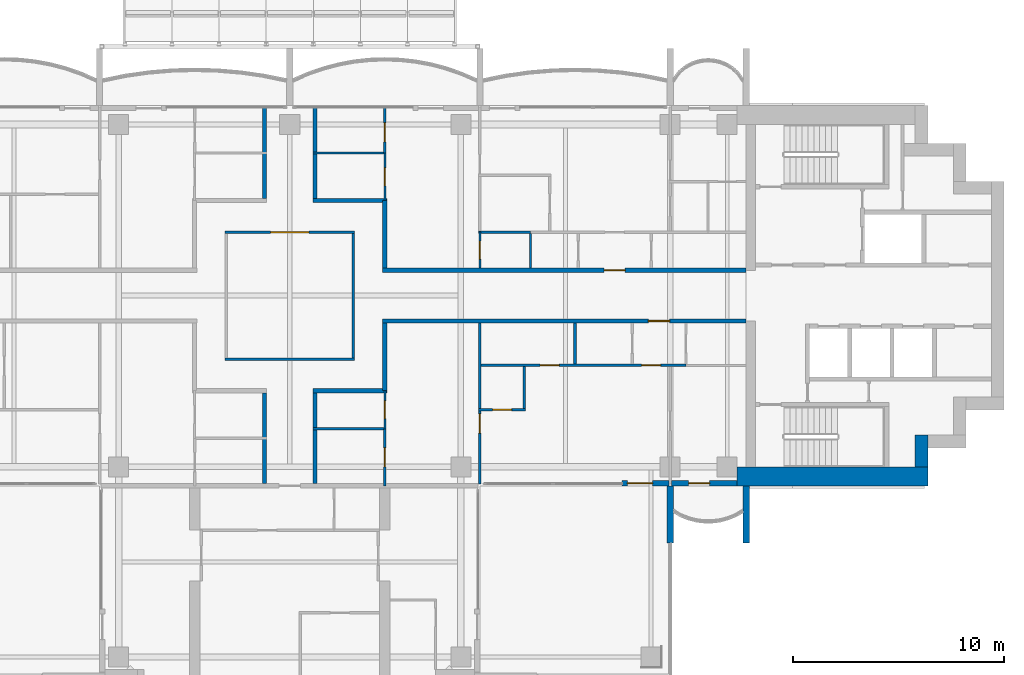
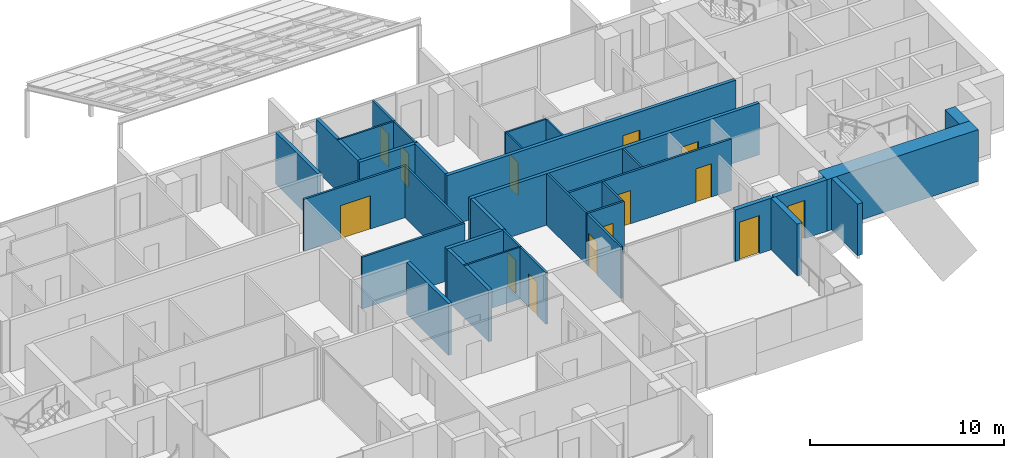
# One storey, part 13 of 20: 33 walls, 14 doors, 14 openings.
"""IFC4 building model written with IfcOpenShell, lengths in metres."""

from ifc_helpers import new_model, si_unit, direction, frame, frame_2d, origin, place, context, subcontext, project, spatial, rectangle, extrude, material, layer, layer_set, type_object, element, fill, save


model = new_model("IFC4")

# Units and contexts
model_context = context("Model", 3, precision=1e-05, world=origin(), true_north=direction((0.0, 1.0)))
body_context = subcontext(model_context, "Body", "Model", "MODEL_VIEW")
ifc_project = project(units=[si_unit("LENGTHUNIT", "METRE"), si_unit("AREAUNIT", "SQUARE_METRE"), si_unit("VOLUMEUNIT", "CUBIC_METRE"), si_unit("PLANEANGLEUNIT", "RADIAN"), si_unit("MASSUNIT", "GRAM", prefix="KILO")], contexts=[model_context])

# Site, building, storey
site_placement = place(None, origin())
site = spatial("IfcSite", under=ifc_project, at=site_placement, CompositionType="ELEMENT")
building_placement = place(site_placement, origin())
building = spatial("IfcBuilding", under=site, at=building_placement, Name="Perihelion Cross Residences", CompositionType="ELEMENT")
storey_placement = place(building_placement, frame((0.0, 0.0, 170.10009765625)))
storey = spatial("IfcBuildingStorey", under=building, at=storey_placement, Name="L41", CompositionType="ELEMENT", Elevation=170.10009765625)

# Wall, opening, door
ifc_material_1 = material(Name="Plasterboard partition")
ifc_layer_1 = layer(ifc_material_1, 0.199951171875)
ifc_layer_set_1 = layer_set([ifc_layer_1], Name="Apartment separation wall 200")
wall_type_1 = type_object("IfcWallType", Name="Apartment separation wall 200", PredefinedType="PARTITIONING", material=ifc_layer_set_1)
wall_1_placement = place(storey_placement, frame((4.39990234375, 1.199951171875, 0.0), z_axis=(0.0, 0.0, 1.0), x_axis=(1.0, 0.0, 0.0)))
wall_1 = element("IfcWall", 1, at=wall_1_placement, inside=storey, type_object=wall_type_1, Name="Partition L41 W005", PredefinedType="PARTITIONING", context=body_context, shape_type="SweptSolid", body=[
    extrude(rectangle(XDim=17.2001953125, YDim=0.199951171875, at=frame_2d((8.60009765625, 0.0))), origin(), (0.0, 0.0, 1.0), 3.25),
])
opening_1_placement = place(wall_1_placement, frame((10.47509765625, 0.0, 0.0)))
opening_1 = element("IfcOpeningElement", 2, at=opening_1_placement, cuts=wall_1, Name="Opening L41.A45", PredefinedType="OPENING", context=body_context, shape_type="SweptSolid", body=[
    extrude(rectangle(XDim=1.0, YDim=2.10009765625, at=frame_2d((0.5, 1.050048828125))), frame((0.0, 0.10986328125, 0.0), z_axis=(0.0, -1.0, 0.0), x_axis=(1.0, 0.0, 0.0)), (0.0, 0.0, 1.0), 0.219970703125),
])
ifc_material_2 = material(Name="Timber door leaf", Category="wood")
door_type_1 = type_object("IfcDoorType", Name="Flat entrance door 1000 x 2100", OperationType="SINGLE_SWING_LEFT", PredefinedType="DOOR", material=ifc_material_2)
door_1_placement = place(opening_1_placement, origin())
door_1 = element("IfcDoor", 3, at=door_1_placement, inside=storey, type_object=door_type_1, Name="Door L41.A45", OperationType="SINGLE_SWING_RIGHT", OverallHeight=2.10009765625, OverallWidth=1.0, PredefinedType="DOOR", context=body_context, shape_type="SweptSolid", body=[
    extrude(rectangle(XDim=1.0, YDim=2.10009765625, at=frame_2d((0.5, 1.050048828125))), frame((0.0, 0.02490234375, 0.0), z_axis=(0.0, -1.0, 0.0), x_axis=(1.0, 0.0, 0.0)), (0.0, 0.0, 1.0), 0.050048828125),
])
fill(opening_1, door_1)

# Walls
wall_2_placement = place(storey_placement, frame((4.5, 4.5, 0.0), z_axis=(0.0, 0.0, 1.0), x_axis=(0.0, -1.0, 0.0)))
element("IfcWall", 4, at=wall_2_placement, inside=storey, type_object=wall_type_1, Name="Partition L41 W006", PredefinedType="PARTITIONING", context=body_context, shape_type="SweptSolid", body=[
    extrude(rectangle(XDim=3.199951171875, YDim=0.199951171875, at=frame_2d((1.60009765625, 0.0))), origin(), (0.0, 0.0, 1.0), 3.25),
])
wall_3_placement = place(storey_placement, frame((1.199951171875, 8.919921875, 0.0), z_axis=(0.0, 0.0, 1.0), x_axis=(0.0, -1.0, 0.0)))
element("IfcWall", 5, at=wall_3_placement, inside=storey, type_object=wall_type_1, Name="Partition L41 W007", PredefinedType="PARTITIONING", context=body_context, shape_type="SweptSolid", body=[
    extrude(rectangle(XDim=4.31982421875, YDim=0.199951171875, at=frame_2d((2.159912109375, 0.0))), origin(), (0.0, 0.0, 1.0), 3.25),
])
wall_4_placement = place(storey_placement, frame((1.10009765625, 4.5, 0.0), z_axis=(0.0, 0.0, 1.0), x_axis=(1.0, 0.0, 0.0)))
element("IfcWall", 6, at=wall_4_placement, inside=storey, type_object=wall_type_1, Name="Partition L41 W008", PredefinedType="PARTITIONING", context=body_context, shape_type="SweptSolid", body=[
    extrude(rectangle(XDim=3.5, YDim=0.199951171875, at=frame_2d((1.75, 0.0))), origin(), (0.0, 0.0, 1.0), 3.25),
])

# Wall, opening, door
wall_5_placement = place(storey_placement, frame((21.60009765625, -1.199951171875, 0.0), z_axis=(0.0, 0.0, 1.0), x_axis=(-1.0, 0.0, 0.0)))
wall_5 = element("IfcWall", 7, at=wall_5_placement, inside=storey, type_object=wall_type_1, Name="Partition L41 W009", PredefinedType="PARTITIONING", context=body_context, shape_type="SweptSolid", body=[
    extrude(rectangle(XDim=17.2001953125, YDim=0.199951171875, at=frame_2d((8.60009765625, 0.0))), origin(), (0.0, 0.0, 1.0), 3.25),
])
opening_2_placement = place(wall_5_placement, frame((3.625, 0.0, 0.0)))
opening_2 = element("IfcOpeningElement", 8, at=opening_2_placement, cuts=wall_5, Name="Opening L41.A46", PredefinedType="OPENING", context=body_context, shape_type="SweptSolid", body=[
    extrude(rectangle(XDim=1.0, YDim=2.10009765625, at=frame_2d((0.5, 1.050048828125))), frame((0.0, 0.10986328125, 0.0), z_axis=(0.0, -1.0, 0.0), x_axis=(1.0, 0.0, 0.0)), (0.0, 0.0, 1.0), 0.219970703125),
])
door_2_placement = place(opening_2_placement, origin())
door_2 = element("IfcDoor", 9, at=door_2_placement, inside=storey, type_object=door_type_1, Name="Door L41.A46", OperationType="SINGLE_SWING_RIGHT", OverallHeight=2.10009765625, OverallWidth=1.0, PredefinedType="DOOR", context=body_context, shape_type="SweptSolid", body=[
    extrude(rectangle(XDim=1.0, YDim=2.10009765625, at=frame_2d((0.5, 1.050048828125))), frame((0.0, 0.02490234375, 0.0), z_axis=(0.0, -1.0, 0.0), x_axis=(1.0, 0.0, 0.0)), (0.0, 0.0, 1.0), 0.050048828125),
])
fill(opening_2, door_2)

# Walls
wall_6_placement = place(storey_placement, frame((4.5, -1.300048828125, 0.0), z_axis=(0.0, 0.0, 1.0), x_axis=(0.0, -1.0, 0.0)))
element("IfcWall", 10, at=wall_6_placement, inside=storey, type_object=wall_type_1, Name="Partition L41 W010", PredefinedType="PARTITIONING", context=body_context, shape_type="SweptSolid", body=[
    extrude(rectangle(XDim=3.199951171875, YDim=0.199951171875, at=frame_2d((1.60009765625, 0.0))), origin(), (0.0, 0.0, 1.0), 3.25),
])
wall_7_placement = place(storey_placement, frame((4.60009765625, -4.5, 0.0), z_axis=(0.0, 0.0, 1.0), x_axis=(-1.0, 0.0, 0.0)))
element("IfcWall", 11, at=wall_7_placement, inside=storey, type_object=wall_type_1, Name="Partition L41 W011", PredefinedType="PARTITIONING", context=body_context, shape_type="SweptSolid", body=[
    extrude(rectangle(XDim=3.5, YDim=0.199951171875, at=frame_2d((1.75, 0.0))), origin(), (0.0, 0.0, 1.0), 3.25),
])
wall_8_placement = place(storey_placement, frame((1.199951171875, -4.60009765625, 0.0), z_axis=(0.0, 0.0, 1.0), x_axis=(0.0, -1.0, 0.0)))
element("IfcWall", 12, at=wall_8_placement, inside=storey, type_object=wall_type_1, Name="Partition L41 W012", PredefinedType="PARTITIONING", context=body_context, shape_type="SweptSolid", body=[
    extrude(rectangle(XDim=4.2998046875, YDim=0.199951171875, at=frame_2d((2.14990234375, 0.0))), origin(), (0.0, 0.0, 1.0), 3.25),
])
wall_9_placement = place(storey_placement, frame((-1.199951171875, 4.60009765625, 0.0), z_axis=(0.0, 0.0, 1.0), x_axis=(0.0, 1.0, 0.0)))
element("IfcWall", 13, at=wall_9_placement, inside=storey, type_object=wall_type_1, Name="Partition L41 W016", PredefinedType="PARTITIONING", context=body_context, shape_type="SweptSolid", body=[
    extrude(rectangle(XDim=4.31982421875, YDim=0.199951171875, at=frame_2d((2.159912109375, 0.0))), origin(), (0.0, 0.0, 1.0), 3.25),
])
wall_10_placement = place(storey_placement, frame((-1.199951171875, -8.89990234375, 0.0), z_axis=(0.0, 0.0, 1.0), x_axis=(0.0, 1.0, 0.0)))
element("IfcWall", 14, at=wall_10_placement, inside=storey, type_object=wall_type_1, Name="Partition L41 W019", PredefinedType="PARTITIONING", context=body_context, shape_type="SweptSolid", body=[
    extrude(rectangle(XDim=4.2998046875, YDim=0.199951171875, at=frame_2d((2.14990234375, 0.0))), origin(), (0.0, 0.0, 1.0), 3.25),
])

# Wall, opening, door
ifc_material_3 = material(Name="Concrete C30/37, bronze-clad", Category="concrete")
ifc_layer_2 = layer(ifc_material_3, 0.25)
ifc_layer_set_2 = layer_set([ifc_layer_2], Name="Bronze-clad pier wall 250")
wall_type_2 = type_object("IfcWallType", Name="Bronze-clad pier wall 250", PredefinedType="SOLIDWALL", material=ifc_layer_set_2)
wall_11_placement = place(storey_placement, frame((15.72509765625, -8.875, 0.0), z_axis=(0.0, 0.0, 1.0), x_axis=(1.0, 0.0, 0.0)))
wall_11 = element("IfcWall", 15, at=wall_11_placement, inside=storey, type_object=wall_type_2, Name="Wall FW1 L41 east side south bay 1 pier", PredefinedType="SOLIDWALL", context=body_context, shape_type="SweptSolid", body=[
    extrude(rectangle(XDim=2.21484375, YDim=0.25, at=frame_2d((1.107421875, 0.0))), origin(), (0.0, 0.0, 1.0), 3.25),
])
opening_3_placement = place(wall_11_placement, frame((0.25, 0.0, 0.0)))
opening_3 = element("IfcOpeningElement", 16, at=opening_3_placement, cuts=wall_11, Name="Opening L41.E13", PredefinedType="OPENING", context=body_context, shape_type="SweptSolid", body=[
    extrude(rectangle(XDim=1.199951171875, YDim=2.39990234375, at=frame_2d((0.60009765625, 1.199951171875))), frame((0.0, 0.135009765625, 0.0), z_axis=(0.0, -1.0, 0.0), x_axis=(1.0, 0.0, 0.0)), (0.0, 0.0, 1.0), 0.27001953125),
])
ifc_material_4 = material(Name="Bronze anodised aluminium, glazed", Category="aluminium")
door_type_2 = type_object("IfcDoorType", Name="Balcony door 1200 x 2400", OperationType="NOTDEFINED", PredefinedType="DOOR", material=ifc_material_4)
door_3_placement = place(opening_3_placement, origin())
door_3 = element("IfcDoor", 17, at=door_3_placement, inside=storey, type_object=door_type_2, Name="Door L41.E13 east side south bay 1", OperationType="SINGLE_SWING_LEFT", OverallHeight=2.39990234375, OverallWidth=1.199951171875, PredefinedType="DOOR", context=body_context, shape_type="SweptSolid", body=[
    extrude(rectangle(XDim=1.199951171875, YDim=2.39990234375, at=frame_2d((0.60009765625, 1.199951171875))), frame((0.0, 0.02490234375, 0.0), z_axis=(0.0, -1.0, 0.0), x_axis=(1.0, 0.0, 0.0)), (0.0, 0.0, 1.0), 0.050048828125),
])
fill(opening_3, door_3)

wall_12_placement = place(storey_placement, frame((18.06005859375, -8.875, 0.0), z_axis=(0.0, 0.0, 1.0), x_axis=(1.0, 0.0, 0.0)))
wall_12 = element("IfcWall", 18, at=wall_12_placement, inside=storey, type_object=wall_type_2, Name="Wall FW1 L41 east side south bay 2 pier", PredefinedType="SOLIDWALL", context=body_context, shape_type="SweptSolid", body=[
    extrude(rectangle(XDim=3.114990234375, YDim=0.25, at=frame_2d((1.5576171875, 0.0))), origin(), (0.0, 0.0, 1.0), 3.25),
])
opening_4_placement = place(wall_12_placement, frame((0.81494140625, 0.0, 0.0)))
opening_4 = element("IfcOpeningElement", 19, at=opening_4_placement, cuts=wall_12, Name="Opening L41.E14", PredefinedType="OPENING", context=body_context, shape_type="SweptSolid", body=[
    extrude(rectangle(XDim=1.0, YDim=2.39990234375, at=frame_2d((0.5, 1.199951171875))), frame((0.0, 0.135009765625, 0.0), z_axis=(0.0, -1.0, 0.0), x_axis=(1.0, 0.0, 0.0)), (0.0, 0.0, 1.0), 0.27001953125),
])
ifc_material_5 = material(Name="Bronze anodised aluminium, glazed", Category="aluminium")
door_type_3 = type_object("IfcDoorType", Name="Balcony door 1000 x 2400", OperationType="NOTDEFINED", PredefinedType="DOOR", material=ifc_material_5)
door_4_placement = place(opening_4_placement, origin())
door_4 = element("IfcDoor", 20, at=door_4_placement, inside=storey, type_object=door_type_3, Name="Door L41.E14 east side south bay 2", OperationType="SINGLE_SWING_RIGHT", OverallHeight=2.39990234375, OverallWidth=1.0, PredefinedType="DOOR", context=body_context, shape_type="SweptSolid", body=[
    extrude(rectangle(XDim=1.0, YDim=2.39990234375, at=frame_2d((0.5, 1.199951171875))), frame((0.0, 0.02490234375, 0.0), z_axis=(0.0, -1.0, 0.0), x_axis=(1.0, 0.0, 0.0)), (0.0, 0.0, 1.0), 0.050048828125),
])
fill(opening_4, door_4)

# Walls
ifc_material_6 = material(Name="Concrete C60/75", Category="concrete")
ifc_layer_3 = layer(ifc_material_6, 0.60009765625)
ifc_layer_set_3 = layer_set([ifc_layer_3], Name="Core wall, outer 600")
wall_type_3 = type_object("IfcWallType", Name="Core wall, outer 600", PredefinedType="SHEAR", material=ifc_layer_set_3)
wall_13_placement = place(storey_placement, frame((29.89990234375, -8.10009765625, 0.0), z_axis=(0.0, 0.0, 1.0), x_axis=(0.0, 1.0, 0.0)))
element("IfcWall", 21, at=wall_13_placement, inside=storey, type_object=wall_type_3, Name="East core core wall, outer", PredefinedType="SHEAR", context=body_context, shape_type="SweptSolid", body=[
    extrude(rectangle(XDim=1.5, YDim=0.60009765625, at=frame_2d((0.75, 0.0))), origin(), (0.0, 0.0, 1.0), 3.25),
])
ifc_material_7 = material(Name="Concrete C60/75", Category="concrete")
ifc_layer_4 = layer(ifc_material_7, 0.89990234375)
ifc_layer_set_4 = layer_set([ifc_layer_4], Name="Core wall, outer 900")
wall_type_4 = type_object("IfcWallType", Name="Core wall, outer 900", PredefinedType="SHEAR", material=ifc_layer_set_4)
wall_14_placement = place(storey_placement, frame((21.175048828125, -8.550048828125, 0.0), z_axis=(0.0, 0.0, 1.0), x_axis=(1.0, 0.0, 0.0)))
element("IfcWall", 22, at=wall_14_placement, inside=storey, type_object=wall_type_4, Name="East core core wall, outer", PredefinedType="SHEAR", context=body_context, shape_type="SweptSolid", body=[
    extrude(rectangle(XDim=9.02490234375, YDim=0.89990234375, at=frame_2d((4.512451171875, 0.0))), origin(), (0.0, 0.0, 1.0), 3.25),
])
ifc_material_8 = material(Name="Plasterboard partition")
ifc_layer_5 = layer(ifc_material_8, 0.1201171875)
ifc_layer_set_5 = layer_set([ifc_layer_5], Name="Partition wall 120")
wall_type_5 = type_object("IfcWallType", Name="Partition wall 120", PredefinedType="PARTITIONING", material=ifc_layer_set_5)
wall_15_placement = place(storey_placement, frame((-3.06005859375, -3.0, 0.0), z_axis=(0.0, 0.0, 1.0), x_axis=(1.0, 0.0, 0.0)))
element("IfcWall", 23, at=wall_15_placement, inside=storey, type_object=wall_type_5, Name="Partition L41 W001", PredefinedType="PARTITIONING", context=body_context, shape_type="SweptSolid", body=[
    extrude(rectangle(XDim=6.1201171875, YDim=0.1201171875, at=frame_2d((3.06005859375, 0.0))), origin(), (0.0, 0.0, 1.0), 3.25),
])
wall_16_placement = place(storey_placement, frame((3.0, -2.93994140625, 0.0), z_axis=(0.0, 0.0, 1.0), x_axis=(0.0, 1.0, 0.0)))
element("IfcWall", 24, at=wall_16_placement, inside=storey, type_object=wall_type_5, Name="Partition L41 W002", PredefinedType="PARTITIONING", context=body_context, shape_type="SweptSolid", body=[
    extrude(rectangle(XDim=5.8798828125, YDim=0.1201171875, at=frame_2d((2.93994140625, 0.0))), origin(), (0.0, 0.0, 1.0), 3.25),
])

# Wall, opening, door
wall_17_placement = place(storey_placement, frame((3.06005859375, 3.0, 0.0), z_axis=(0.0, 0.0, 1.0), x_axis=(-1.0, 0.0, 0.0)))
wall_17 = element("IfcWall", 25, at=wall_17_placement, inside=storey, type_object=wall_type_5, Name="Partition L41 W003", PredefinedType="PARTITIONING", context=body_context, shape_type="SweptSolid", body=[
    extrude(rectangle(XDim=6.1201171875, YDim=0.1201171875, at=frame_2d((3.06005859375, 0.0))), origin(), (0.0, 0.0, 1.0), 3.25),
])
opening_5_placement = place(wall_17_placement, frame((2.159912109375, 0.0, 0.0)))
opening_5 = element("IfcOpeningElement", 26, at=opening_5_placement, cuts=wall_17, Name="Opening L41.A01", PredefinedType="OPENING", context=body_context, shape_type="SweptSolid", body=[
    extrude(rectangle(XDim=1.800048828125, YDim=2.10009765625, at=frame_2d((0.89990234375, 1.050048828125))), frame((0.0, 0.070068359375, 0.0), z_axis=(0.0, -1.0, 0.0), x_axis=(1.0, 0.0, 0.0)), (0.0, 0.0, 1.0), 0.14013671875),
])
ifc_material_9 = material(Name="Glazed timber door leaf", Category="wood")
door_type_4 = type_object("IfcDoorType", Name="Interior double leaf door 1800 x 2100", OperationType="DOUBLE_DOOR_SINGLE_SWING", PredefinedType="DOOR", material=ifc_material_9)
door_5_placement = place(opening_5_placement, origin())
door_5 = element("IfcDoor", 27, at=door_5_placement, inside=storey, type_object=door_type_4, Name="Door L41.A01", OperationType="SINGLE_SWING_LEFT", OverallHeight=2.10009765625, OverallWidth=1.800048828125, PredefinedType="DOOR", context=body_context, shape_type="SweptSolid", body=[
    extrude(rectangle(XDim=1.800048828125, YDim=2.10009765625, at=frame_2d((0.89990234375, 1.050048828125))), frame((0.0, 0.02490234375, 0.0), z_axis=(0.0, -1.0, 0.0), x_axis=(1.0, 0.0, 0.0)), (0.0, 0.0, 1.0), 0.050048828125),
])
fill(opening_5, door_5)

wall_18_placement = place(storey_placement, frame((4.5, 6.75, 0.0), z_axis=(0.0, 0.0, 1.0), x_axis=(0.0, 1.0, 0.0)))
wall_18 = element("IfcWall", 28, at=wall_18_placement, inside=storey, type_object=wall_type_5, Name="Partition L41 W037", PredefinedType="PARTITIONING", context=body_context, shape_type="SweptSolid", body=[
    extrude(rectangle(XDim=2.169921875, YDim=0.1201171875, at=frame_2d((1.0849609375, 0.0))), origin(), (0.0, 0.0, 1.0), 3.25),
])
opening_6_placement = place(wall_18_placement, frame((0.52490234375, 0.0, 0.0)))
opening_6 = element("IfcOpeningElement", 29, at=opening_6_placement, cuts=wall_18, Name="Opening L41.A06", PredefinedType="OPENING", context=body_context, shape_type="SweptSolid", body=[
    extrude(rectangle(XDim=0.89990234375, YDim=2.10009765625, at=frame_2d((0.449951171875, 1.050048828125))), frame((0.0, 0.070068359375, 0.0), z_axis=(0.0, -1.0, 0.0), x_axis=(1.0, 0.0, 0.0)), (0.0, 0.0, 1.0), 0.14013671875),
])
ifc_material_10 = material(Name="Timber door leaf", Category="wood")
door_type_5 = type_object("IfcDoorType", Name="Interior room door 900 x 2100", OperationType="SINGLE_SWING_LEFT", PredefinedType="DOOR", material=ifc_material_10)
door_6_placement = place(opening_6_placement, origin())
door_6 = element("IfcDoor", 30, at=door_6_placement, inside=storey, type_object=door_type_5, Name="Door L41.A06", OperationType="SINGLE_SWING_RIGHT", OverallHeight=2.10009765625, OverallWidth=0.89990234375, PredefinedType="DOOR", context=body_context, shape_type="SweptSolid", body=[
    extrude(rectangle(XDim=0.89990234375, YDim=2.10009765625, at=frame_2d((0.449951171875, 1.050048828125))), frame((0.0, 0.02490234375, 0.0), z_axis=(0.0, -1.0, 0.0), x_axis=(1.0, 0.0, 0.0)), (0.0, 0.0, 1.0), 0.050048828125),
])
fill(opening_6, door_6)

# Wall
wall_19_placement = place(storey_placement, frame((13.5, -1.300048828125, 0.0), z_axis=(0.0, 0.0, 1.0), x_axis=(0.0, -1.0, 0.0)))
element("IfcWall", 31, at=wall_19_placement, inside=storey, type_object=wall_type_5, Name="Partition L41 W039", PredefinedType="PARTITIONING", context=body_context, shape_type="SweptSolid", body=[
    extrude(rectangle(XDim=1.93994140625, YDim=0.1201171875, at=frame_2d((0.969970703125, 0.0))), origin(), (0.0, 0.0, 1.0), 3.25),
])

# Wall, openings, doors
wall_20_placement = place(storey_placement, frame((18.75, -3.300048828125, 0.0), z_axis=(0.0, 0.0, 1.0), x_axis=(-1.0, 0.0, 0.0)))
wall_20 = element("IfcWall", 32, at=wall_20_placement, inside=storey, type_object=wall_type_5, Name="Partition L41 W040", PredefinedType="PARTITIONING", context=body_context, shape_type="SweptSolid", body=[
    extrude(rectangle(XDim=9.81005859375, YDim=0.1201171875, at=frame_2d((4.905029296875, 0.0))), origin(), (0.0, 0.0, 1.0), 3.25),
])
opening_7_placement = place(wall_20_placement, frame((6.0, 0.0, 0.0)))
opening_7 = element("IfcOpeningElement", 33, at=opening_7_placement, cuts=wall_20, Name="Opening L41.A16", PredefinedType="OPENING", context=body_context, shape_type="SweptSolid", body=[
    extrude(rectangle(XDim=0.89990234375, YDim=2.10009765625, at=frame_2d((0.449951171875, 1.050048828125))), frame((0.0, 0.070068359375, 0.0), z_axis=(0.0, -1.0, 0.0), x_axis=(1.0, 0.0, 0.0)), (0.0, 0.0, 1.0), 0.14013671875),
])
opening_8_placement = place(wall_20_placement, frame((1.199951171875, 0.0, 0.0)))
opening_8 = element("IfcOpeningElement", 34, at=opening_8_placement, cuts=wall_20, Name="Opening L41.A21", PredefinedType="OPENING", context=body_context, shape_type="SweptSolid", body=[
    extrude(rectangle(XDim=0.89990234375, YDim=2.10009765625, at=frame_2d((0.449951171875, 1.050048828125))), frame((0.0, 0.070068359375, 0.0), z_axis=(0.0, -1.0, 0.0), x_axis=(1.0, 0.0, 0.0)), (0.0, 0.0, 1.0), 0.14013671875),
])
door_7_placement = place(opening_7_placement, origin())
door_7 = element("IfcDoor", 35, at=door_7_placement, inside=storey, type_object=door_type_5, Name="Door L41.A16", OperationType="SINGLE_SWING_RIGHT", OverallHeight=2.10009765625, OverallWidth=0.89990234375, PredefinedType="DOOR", context=body_context, shape_type="SweptSolid", body=[
    extrude(rectangle(XDim=0.89990234375, YDim=2.10009765625, at=frame_2d((0.449951171875, 1.050048828125))), frame((0.0, 0.02490234375, 0.0), z_axis=(0.0, -1.0, 0.0), x_axis=(1.0, 0.0, 0.0)), (0.0, 0.0, 1.0), 0.050048828125),
])
fill(opening_7, door_7)
door_8_placement = place(opening_8_placement, origin())
door_8 = element("IfcDoor", 36, at=door_8_placement, inside=storey, type_object=door_type_5, Name="Door L41.A21", OperationType="SINGLE_SWING_LEFT", OverallHeight=2.10009765625, OverallWidth=0.89990234375, PredefinedType="DOOR", context=body_context, shape_type="SweptSolid", body=[
    extrude(rectangle(XDim=0.89990234375, YDim=2.10009765625, at=frame_2d((0.449951171875, 1.050048828125))), frame((0.0, 0.02490234375, 0.0), z_axis=(0.0, -1.0, 0.0), x_axis=(1.0, 0.0, 0.0)), (0.0, 0.0, 1.0), 0.050048828125),
])
fill(opening_8, door_8)

# Wall, opening, door
wall_21_placement = place(storey_placement, frame((9.0, -8.919921875, 0.0), z_axis=(0.0, 0.0, 1.0), x_axis=(0.0, 1.0, 0.0)))
wall_21 = element("IfcWall", 37, at=wall_21_placement, inside=storey, type_object=wall_type_5, Name="Partition L41 W041", PredefinedType="PARTITIONING", context=body_context, shape_type="SweptSolid", body=[
    extrude(rectangle(XDim=7.619873046875, YDim=0.1201171875, at=frame_2d((3.81005859375, 0.0))), origin(), (0.0, 0.0, 1.0), 3.25),
])
opening_9_placement = place(wall_21_placement, frame((2.419921875, 0.0, 0.0)))
opening_9 = element("IfcOpeningElement", 38, at=opening_9_placement, cuts=wall_21, Name="Opening L41.A17", PredefinedType="OPENING", context=body_context, shape_type="SweptSolid", body=[
    extrude(rectangle(XDim=0.89990234375, YDim=2.10009765625, at=frame_2d((0.449951171875, 1.050048828125))), frame((0.0, 0.070068359375, 0.0), z_axis=(0.0, -1.0, 0.0), x_axis=(1.0, 0.0, 0.0)), (0.0, 0.0, 1.0), 0.14013671875),
])
door_9_placement = place(opening_9_placement, origin())
door_9 = element("IfcDoor", 39, at=door_9_placement, inside=storey, type_object=door_type_5, Name="Door L41.A17", OperationType="SINGLE_SWING_LEFT", OverallHeight=2.10009765625, OverallWidth=0.89990234375, PredefinedType="DOOR", context=body_context, shape_type="SweptSolid", body=[
    extrude(rectangle(XDim=0.89990234375, YDim=2.10009765625, at=frame_2d((0.449951171875, 1.050048828125))), frame((0.0, 0.02490234375, 0.0), z_axis=(0.0, -1.0, 0.0), x_axis=(1.0, 0.0, 0.0)), (0.0, 0.0, 1.0), 0.050048828125),
])
fill(opening_9, door_9)

wall_22_placement = place(storey_placement, frame((8.93994140625, -5.39990234375, 0.0), z_axis=(0.0, 0.0, 1.0), x_axis=(1.0, 0.0, 0.0)))
wall_22 = element("IfcWall", 40, at=wall_22_placement, inside=storey, type_object=wall_type_5, Name="Partition L41 W045", PredefinedType="PARTITIONING", context=body_context, shape_type="SweptSolid", body=[
    extrude(rectangle(XDim=2.219970703125, YDim=0.1201171875, at=frame_2d((1.10986328125, 0.0))), origin(), (0.0, 0.0, 1.0), 3.25),
])
opening_10_placement = place(wall_22_placement, frame((0.659912109375, 0.0, 0.0)))
opening_10 = element("IfcOpeningElement", 41, at=opening_10_placement, cuts=wall_22, Name="Opening L41.A19", PredefinedType="OPENING", context=body_context, shape_type="SweptSolid", body=[
    extrude(rectangle(XDim=0.89990234375, YDim=2.10009765625, at=frame_2d((0.449951171875, 1.050048828125))), frame((0.0, 0.070068359375, 0.0), z_axis=(0.0, -1.0, 0.0), x_axis=(1.0, 0.0, 0.0)), (0.0, 0.0, 1.0), 0.14013671875),
])
door_10_placement = place(opening_10_placement, origin())
door_10 = element("IfcDoor", 42, at=door_10_placement, inside=storey, type_object=door_type_5, Name="Door L41.A19", OperationType="SINGLE_SWING_RIGHT", OverallHeight=2.10009765625, OverallWidth=0.89990234375, PredefinedType="DOOR", context=body_context, shape_type="SweptSolid", body=[
    extrude(rectangle(XDim=0.89990234375, YDim=2.10009765625, at=frame_2d((0.449951171875, 1.050048828125))), frame((0.0, 0.02490234375, 0.0), z_axis=(0.0, -1.0, 0.0), x_axis=(1.0, 0.0, 0.0)), (0.0, 0.0, 1.0), 0.050048828125),
])
fill(opening_10, door_10)

# Wall
wall_23_placement = place(storey_placement, frame((11.10009765625, -5.340087890625, 0.0), z_axis=(0.0, 0.0, 1.0), x_axis=(0.0, 1.0, 0.0)))
element("IfcWall", 43, at=wall_23_placement, inside=storey, type_object=wall_type_5, Name="Partition L41 W046", PredefinedType="PARTITIONING", context=body_context, shape_type="SweptSolid", body=[
    extrude(rectangle(XDim=1.97998046875, YDim=0.1201171875, at=frame_2d((0.989990234375, 0.0))), origin(), (0.0, 0.0, 1.0), 3.25),
])

# Wall, opening, door
wall_24_placement = place(storey_placement, frame((4.5, -9.0, 0.0), z_axis=(0.0, 0.0, 1.0), x_axis=(0.0, 1.0, 0.0)))
wall_24 = element("IfcWall", 44, at=wall_24_placement, inside=storey, type_object=wall_type_5, Name="Partition L41 W049", PredefinedType="PARTITIONING", context=body_context, shape_type="SweptSolid", body=[
    extrude(rectangle(XDim=2.699951171875, YDim=0.1201171875, at=frame_2d((1.35009765625, 0.0))), origin(), (0.0, 0.0, 1.0), 3.25),
])
opening_11_placement = place(wall_24_placement, frame((0.89990234375, 0.0, 0.0)))
opening_11 = element("IfcOpeningElement", 45, at=opening_11_placement, cuts=wall_24, Name="Opening L41.A18", PredefinedType="OPENING", context=body_context, shape_type="SweptSolid", body=[
    extrude(rectangle(XDim=0.89990234375, YDim=2.10009765625, at=frame_2d((0.449951171875, 1.050048828125))), frame((0.0, 0.070068359375, 0.0), z_axis=(0.0, -1.0, 0.0), x_axis=(1.0, 0.0, 0.0)), (0.0, 0.0, 1.0), 0.14013671875),
])
door_11_placement = place(opening_11_placement, origin())
door_11 = element("IfcDoor", 46, at=door_11_placement, inside=storey, type_object=door_type_5, Name="Door L41.A18", OperationType="SINGLE_SWING_LEFT", OverallHeight=2.10009765625, OverallWidth=0.89990234375, PredefinedType="DOOR", context=body_context, shape_type="SweptSolid", body=[
    extrude(rectangle(XDim=0.89990234375, YDim=2.10009765625, at=frame_2d((0.449951171875, 1.050048828125))), frame((0.0, 0.02490234375, 0.0), z_axis=(0.0, -1.0, 0.0), x_axis=(1.0, 0.0, 0.0)), (0.0, 0.0, 1.0), 0.050048828125),
])
fill(opening_11, door_11)

# Walls
ifc_material_11 = material(Name="Precast concrete C50/60", Category="concrete")
ifc_layer_6 = layer(ifc_material_11, 0.300048828125)
ifc_layer_set_6 = layer_set([ifc_layer_6], Name="Precast concrete C50/60 blade wall 300")
wall_type_6 = type_object("IfcWallType", Name="Precast concrete C50/60 blade wall 300", PredefinedType="SOLIDWALL", material=ifc_layer_set_6)
for number, where, z_axis, x_axis, name in (
    (47, (18.0, -9.0, 0.0), (0.0, 0.0, 1.0), (0.0, -1.0, 0.0), "Wall BL1 L41 no. 10"),
    (48, (21.60009765625, -9.0, 0.0), (0.0, 0.0, 1.0), (0.0, -1.0, 0.0), "Wall BL1 L41 no. 12"),
):
    element("IfcWall", number, at=place(storey_placement, frame(where, z_axis=z_axis, x_axis=x_axis)), inside=storey, type_object=wall_type_6, Name=name, PredefinedType="SOLIDWALL", context=body_context, shape_type="SweptSolid", body=[
        extrude(rectangle(XDim=2.699951171875, YDim=0.300048828125, at=frame_2d((1.35009765625, 0.0))), origin(), (0.0, 0.0, 1.0), 3.25),
    ])
ifc_material_12 = material(Name="Plasterboard partition")
ifc_layer_7 = layer(ifc_material_12, 0.10009765625)
ifc_layer_set_7 = layer_set([ifc_layer_7], Name="Wet room wall 100")
wall_type_7 = type_object("IfcWallType", Name="Wet room wall 100", PredefinedType="PARTITIONING", material=ifc_layer_set_7)
wall_25_placement = place(storey_placement, frame((11.39990234375, 2.93994140625, 0.0), z_axis=(0.0, 0.0, 1.0), x_axis=(0.0, -1.0, 0.0)))
element("IfcWall", 49, at=wall_25_placement, inside=storey, type_object=wall_type_7, Name="Partition L41 W022", PredefinedType="PARTITIONING", context=body_context, shape_type="SweptSolid", body=[
    extrude(rectangle(XDim=1.639892578125, YDim=0.10009765625, at=frame_2d((0.81982421875, 0.0))), origin(), (0.0, 0.0, 1.0), 3.25),
])
wall_26_placement = place(storey_placement, frame((8.93994140625, 3.0, 0.0), z_axis=(0.0, 0.0, 1.0), x_axis=(1.0, 0.0, 0.0)))
element("IfcWall", 50, at=wall_26_placement, inside=storey, type_object=wall_type_7, Name="Partition L41 W023", PredefinedType="PARTITIONING", context=body_context, shape_type="SweptSolid", body=[
    extrude(rectangle(XDim=2.4599609375, YDim=0.10009765625, at=frame_2d((1.22998046875, 0.0))), origin(), (0.0, 0.0, 1.0), 3.25),
])

# Wall, opening, door
wall_27_placement = place(storey_placement, frame((9.0, 1.300048828125, 0.0), z_axis=(0.0, 0.0, 1.0), x_axis=(0.0, 1.0, 0.0)))
wall_27 = element("IfcWall", 51, at=wall_27_placement, inside=storey, type_object=wall_type_7, Name="Partition L41 W024", PredefinedType="PARTITIONING", context=body_context, shape_type="SweptSolid", body=[
    extrude(rectangle(XDim=1.699951171875, YDim=0.10009765625, at=frame_2d((0.85009765625, 0.0))), origin(), (0.0, 0.0, 1.0), 3.25),
])
opening_12_placement = place(wall_27_placement, frame((0.425048828125, 0.0, 0.0)))
opening_12 = element("IfcOpeningElement", 52, at=opening_12_placement, cuts=wall_27, Name="Opening L41.A12", PredefinedType="OPENING", context=body_context, shape_type="SweptSolid", body=[
    extrude(rectangle(XDim=0.85009765625, YDim=2.10009765625, at=frame_2d((0.425048828125, 1.050048828125))), frame((0.0, 0.06005859375, 0.0), z_axis=(0.0, -1.0, 0.0), x_axis=(1.0, 0.0, 0.0)), (0.0, 0.0, 1.0), 0.1201171875),
])
ifc_material_13 = material(Name="Timber door leaf", Category="wood")
door_type_6 = type_object("IfcDoorType", Name="Interior bathroom door 850 x 2100", OperationType="SINGLE_SWING_LEFT", PredefinedType="DOOR", material=ifc_material_13)
door_12_placement = place(opening_12_placement, origin())
door_12 = element("IfcDoor", 53, at=door_12_placement, inside=storey, type_object=door_type_6, Name="Door L41.A12", OperationType="SINGLE_SWING_RIGHT", OverallHeight=2.10009765625, OverallWidth=0.85009765625, PredefinedType="DOOR", context=body_context, shape_type="SweptSolid", body=[
    extrude(rectangle(XDim=0.85009765625, YDim=2.10009765625, at=frame_2d((0.425048828125, 1.050048828125))), frame((0.0, 0.02490234375, 0.0), z_axis=(0.0, -1.0, 0.0), x_axis=(1.0, 0.0, 0.0)), (0.0, 0.0, 1.0), 0.050048828125),
])
fill(opening_12, door_12)

wall_28_placement = place(storey_placement, frame((4.5, 4.5, 0.0), z_axis=(0.0, 0.0, 1.0), x_axis=(0.0, 1.0, 0.0)))
wall_28 = element("IfcWall", 54, at=wall_28_placement, inside=storey, type_object=wall_type_7, Name="Partition L41 W036", PredefinedType="PARTITIONING", context=body_context, shape_type="SweptSolid", body=[
    extrude(rectangle(XDim=2.25, YDim=0.10009765625, at=frame_2d((1.125, 0.0))), origin(), (0.0, 0.0, 1.0), 3.25),
])
opening_13_placement = place(wall_28_placement, frame((0.699951171875, 0.0, 0.0)))
opening_13 = element("IfcOpeningElement", 55, at=opening_13_placement, cuts=wall_28, Name="Opening L41.A11", PredefinedType="OPENING", context=body_context, shape_type="SweptSolid", body=[
    extrude(rectangle(XDim=0.85009765625, YDim=2.10009765625, at=frame_2d((0.425048828125, 1.050048828125))), frame((0.0, 0.06005859375, 0.0), z_axis=(0.0, -1.0, 0.0), x_axis=(1.0, 0.0, 0.0)), (0.0, 0.0, 1.0), 0.1201171875),
])
door_13_placement = place(opening_13_placement, origin())
door_13 = element("IfcDoor", 56, at=door_13_placement, inside=storey, type_object=door_type_6, Name="Door L41.A11", OperationType="SINGLE_SWING_LEFT", OverallHeight=2.10009765625, OverallWidth=0.85009765625, PredefinedType="DOOR", context=body_context, shape_type="SweptSolid", body=[
    extrude(rectangle(XDim=0.85009765625, YDim=2.10009765625, at=frame_2d((0.425048828125, 1.050048828125))), frame((0.0, 0.02490234375, 0.0), z_axis=(0.0, -1.0, 0.0), x_axis=(1.0, 0.0, 0.0)), (0.0, 0.0, 1.0), 0.050048828125),
])
fill(opening_13, door_13)

# Wall
wall_29_placement = place(storey_placement, frame((1.10009765625, 6.75, 0.0), z_axis=(0.0, 0.0, 1.0), x_axis=(1.0, 0.0, 0.0)))
element("IfcWall", 57, at=wall_29_placement, inside=storey, type_object=wall_type_7, Name="Partition L41 W038", PredefinedType="PARTITIONING", context=body_context, shape_type="SweptSolid", body=[
    extrude(rectangle(XDim=3.4599609375, YDim=0.10009765625, at=frame_2d((1.72998046875, 0.0))), origin(), (0.0, 0.0, 1.0), 3.25),
])

# Wall, opening, door
wall_30_placement = place(storey_placement, frame((4.5, -6.300048828125, 0.0), z_axis=(0.0, 0.0, 1.0), x_axis=(0.0, 1.0, 0.0)))
wall_30 = element("IfcWall", 58, at=wall_30_placement, inside=storey, type_object=wall_type_7, Name="Partition L41 W048", PredefinedType="PARTITIONING", context=body_context, shape_type="SweptSolid", body=[
    extrude(rectangle(XDim=1.800048828125, YDim=0.10009765625, at=frame_2d((0.89990234375, 0.0))), origin(), (0.0, 0.0, 1.0), 3.25),
])
opening_14_placement = place(wall_30_placement, frame((0.47509765625, 0.0, 0.0)))
opening_14 = element("IfcOpeningElement", 59, at=opening_14_placement, cuts=wall_30, Name="Opening L41.A20", PredefinedType="OPENING", context=body_context, shape_type="SweptSolid", body=[
    extrude(rectangle(XDim=0.85009765625, YDim=2.10009765625, at=frame_2d((0.425048828125, 1.050048828125))), frame((0.0, 0.06005859375, 0.0), z_axis=(0.0, -1.0, 0.0), x_axis=(1.0, 0.0, 0.0)), (0.0, 0.0, 1.0), 0.1201171875),
])
door_14_placement = place(opening_14_placement, origin())
door_14 = element("IfcDoor", 60, at=door_14_placement, inside=storey, type_object=door_type_6, Name="Door L41.A20", OperationType="SINGLE_SWING_LEFT", OverallHeight=2.10009765625, OverallWidth=0.85009765625, PredefinedType="DOOR", context=body_context, shape_type="SweptSolid", body=[
    extrude(rectangle(XDim=0.85009765625, YDim=2.10009765625, at=frame_2d((0.425048828125, 1.050048828125))), frame((0.0, 0.02490234375, 0.0), z_axis=(0.0, -1.0, 0.0), x_axis=(1.0, 0.0, 0.0)), (0.0, 0.0, 1.0), 0.050048828125),
])
fill(opening_14, door_14)

# Wall
wall_31_placement = place(storey_placement, frame((4.56005859375, -6.300048828125, 0.0), z_axis=(0.0, 0.0, 1.0), x_axis=(-1.0, 0.0, 0.0)))
element("IfcWall", 61, at=wall_31_placement, inside=storey, type_object=wall_type_7, Name="Partition L41 W050", PredefinedType="PARTITIONING", context=body_context, shape_type="SweptSolid", body=[
    extrude(rectangle(XDim=3.4599609375, YDim=0.10009765625, at=frame_2d((1.72998046875, 0.0))), origin(), (0.0, 0.0, 1.0), 3.25),
])

save(model, "model.ifc")
